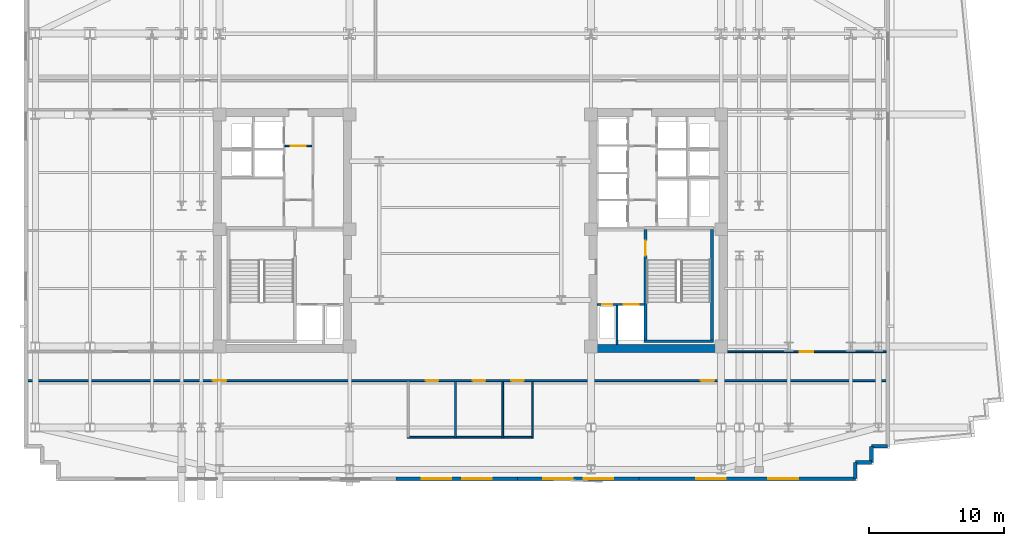
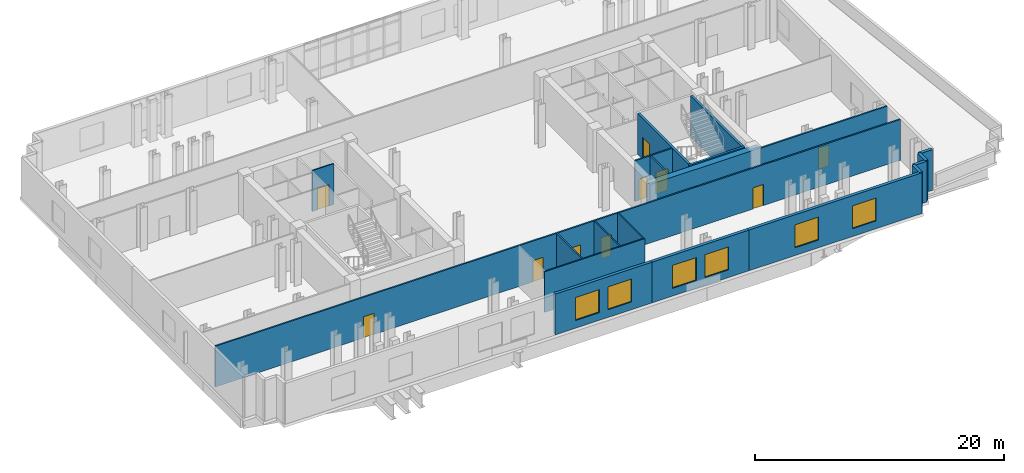
# One storey, part 7 of 14: 20 walls, 10 doors, 6 windows, 16 openings.
"""IFC4 building model written with IfcOpenShell, lengths in metres."""

from ifc_helpers import new_model, si_unit, direction, frame, frame_2d, origin, place, context, subcontext, project, spatial, rectangle, extrude, material, layer, layer_set, type_object, element, fill, save


model = new_model("IFC4")

# Units and contexts
model_context = context("Model", 3, precision=1e-05, world=origin(), true_north=direction((0.0, 1.0)))
body_context = subcontext(model_context, "Body", "Model", "MODEL_VIEW")
ifc_project = project(units=[si_unit("LENGTHUNIT", "METRE"), si_unit("AREAUNIT", "SQUARE_METRE"), si_unit("VOLUMEUNIT", "CUBIC_METRE"), si_unit("PLANEANGLEUNIT", "RADIAN"), si_unit("MASSUNIT", "GRAM", prefix="KILO")], contexts=[model_context])

# Site, building, storey
site_placement = place(None, origin())
site = spatial("IfcSite", under=ifc_project, at=site_placement, CompositionType="ELEMENT")
building_placement = place(site_placement, origin())
building = spatial("IfcBuilding", under=site, at=building_placement, Name="Velakula Bourse", CompositionType="ELEMENT")
storey_placement = place(building_placement, frame((0.0, 0.0, 116.64990234375)))
storey = spatial("IfcBuildingStorey", under=building, at=storey_placement, Name="L31", CompositionType="ELEMENT", Elevation=116.64990234375)

# Wall, opening, door
ifc_material_1 = material(Name="Concrete M50 (fck 50 MPa)", Category="concrete")
ifc_layer_1 = layer(ifc_material_1, 0.2099609375, Name="Concrete M50 (fck 50 MPa)", Category="concrete")
ifc_layer_set_1 = layer_set([ifc_layer_1], Name="Concrete M50 (fck 50 MPa)")
wall_type_1 = type_object("IfcWallType", Name="WL-CORE-210", PredefinedType="SHEAR", material=ifc_layer_set_1)
wall_1_placement = place(storey_placement, frame((12.9951171875, -8.10009765625, 0.0), z_axis=(0.0, 0.0, 1.0), x_axis=(0.0, 1.0, 0.0)))
wall_1 = element("IfcWall", 1, at=wall_1_placement, inside=storey, type_object=wall_type_1, Name="L31 Core E Stairwell Shear Wall IN", PredefinedType="SHEAR", context=body_context, shape_type="SweptSolid", body=[
    extrude(rectangle(XDim=8.2001953125, YDim=0.2099609375, at=frame_2d((4.10009765625, 0.0))), origin(), (0.0, 0.0, 1.0), 4.02001953125),
])
opening_1_placement = place(wall_1_placement, frame((6.25, 0.0, 0.0)))
opening_1 = element("IfcOpeningElement", 2, at=opening_1_placement, cuts=wall_1, Name="Opening D-STE1", PredefinedType="OPENING", context=body_context, shape_type="SweptSolid", body=[
    extrude(rectangle(XDim=1.10009765625, YDim=2.14990234375, at=frame_2d((0.550048828125, 1.074951171875))), frame((0.0, 0.114990234375, 0.0), z_axis=(0.0, -1.0, 0.0), x_axis=(1.0, 0.0, 0.0)), (0.0, 0.0, 1.0), 0.22998046875),
])
ifc_material_2 = material(Name="Galvanised painted hollow steel fire door", Category="steel")
door_type_1 = type_object("IfcDoorType", Name="DR-FD120-1100x2150", OperationType="NOTDEFINED", PredefinedType="DOOR", material=ifc_material_2)
door_1_placement = place(opening_1_placement, origin())
door_1 = element("IfcDoor", 3, at=door_1_placement, inside=storey, type_object=door_type_1, Name="L31 Stair ST-E1 Fire Door", OperationType="SINGLE_SWING_RIGHT", OverallHeight=2.14990234375, OverallWidth=1.10009765625, PredefinedType="DOOR", context=body_context, shape_type="SweptSolid", body=[
    extrude(rectangle(XDim=1.10009765625, YDim=2.14990234375, at=frame_2d((0.550048828125, 1.074951171875))), frame((0.0, 0.02490234375, 0.0), z_axis=(0.0, -1.0, 0.0), x_axis=(1.0, 0.0, 0.0)), (0.0, 0.0, 1.0), 0.050048828125),
])
fill(opening_1, door_1)

# Walls
wall_2_placement = place(storey_placement, frame((17.925048828125, -8.10009765625, 0.0), z_axis=(0.0, 0.0, 1.0), x_axis=(0.0, 1.0, 0.0)))
element("IfcWall", 4, at=wall_2_placement, inside=storey, type_object=wall_type_1, Name="L31 Core E Stairwell Shear Wall OUT", PredefinedType="SHEAR", context=body_context, shape_type="SweptSolid", body=[
    extrude(rectangle(XDim=8.2001953125, YDim=0.2099609375, at=frame_2d((4.10009765625, 0.0))), origin(), (0.0, 0.0, 1.0), 4.02001953125),
])
wall_3_placement = place(storey_placement, frame((12.889892578125, -8.205078125, 0.0), z_axis=(0.0, 0.0, 1.0), x_axis=(1.0, 0.0, 0.0)))
element("IfcWall", 5, at=wall_3_placement, inside=storey, type_object=wall_type_1, Name="L31 Core E Stairwell Shear Wall S", PredefinedType="SHEAR", context=body_context, shape_type="SweptSolid", body=[
    extrude(rectangle(XDim=5.14013671875, YDim=0.2099609375, at=frame_2d((2.570068359375, 0.0))), origin(), (0.0, 0.0, 1.0), 4.02001953125),
])
ifc_material_3 = material(Name="Concrete M70 (fck 70 MPa)", Category="concrete")
ifc_layer_2 = layer(ifc_material_3, 0.60009765625, Name="Concrete M70 (fck 70 MPa)", Category="concrete")
ifc_layer_set_2 = layer_set([ifc_layer_2], Name="Concrete M70 (fck 70 MPa)")
wall_type_2 = type_object("IfcWallType", Name="WL-CORE-600", PredefinedType="SHEAR", material=ifc_layer_set_2)
wall_4_placement = place(storey_placement, frame((8.800048828125, -8.75, 0.0), z_axis=(0.0, 0.0, 1.0), x_axis=(1.0, 0.0, 0.0)))
element("IfcWall", 6, at=wall_4_placement, inside=storey, type_object=wall_type_2, Name="L31 Core E Shear Wall S", PredefinedType="SHEAR", context=body_context, shape_type="SweptSolid", body=[
    extrude(rectangle(XDim=10.25, YDim=0.60009765625, at=frame_2d((5.125, 0.0))), origin(), (0.0, 0.0, 1.0), 4.02001953125),
])

# Wall, openings, windows
ifc_material_4 = material(Name="Red kilned clay facing brick masonry", Category="masonry")
ifc_layer_3 = layer(ifc_material_4, 0.280029296875, Name="Red kilned clay facing brick masonry", Category="masonry")
ifc_layer_set_3 = layer_set([ifc_layer_3], Name="Red kilned clay facing brick masonry")
wall_type_3 = type_object("IfcWallType", Name="WL-EXT-BRK-280", PredefinedType="STANDARD", material=ifc_layer_set_3)
wall_5_placement = place(storey_placement, frame((3.5, -18.389892578125, 0.0), z_axis=(0.0, 0.0, 1.0), x_axis=(-1.0, 0.0, 0.0)))
wall_5 = element("IfcWall", 7, at=wall_5_placement, inside=storey, type_object=wall_type_3, Name="L31 S Brick Spandrel Wall B3", PredefinedType="STANDARD", context=body_context, shape_type="SweptSolid", body=[
    extrude(rectangle(XDim=9.0, YDim=0.280029296875, at=frame_2d((4.5, 0.0))), origin(), (0.0, 0.0, 1.0), 4.0),
])
opening_2_placement = place(wall_5_placement, frame((1.89990234375, 0.0, 0.760009765625)))
opening_2 = element("IfcOpeningElement", 8, at=opening_2_placement, cuts=wall_5, Name="Opening W-08", PredefinedType="OPENING", context=body_context, shape_type="SweptSolid", body=[
    extrude(rectangle(XDim=2.199951171875, YDim=2.25, at=frame_2d((1.10009765625, 1.125))), frame((0.0, 0.14990234375, 0.0), z_axis=(0.0, -1.0, 0.0), x_axis=(1.0, 0.0, 0.0)), (0.0, 0.0, 1.0), 0.300048828125),
])
opening_3_placement = place(wall_5_placement, frame((4.89990234375, 0.0, 0.760009765625)))
opening_3 = element("IfcOpeningElement", 9, at=opening_3_placement, cuts=wall_5, Name="Opening W-08", PredefinedType="OPENING", context=body_context, shape_type="SweptSolid", body=[
    extrude(rectangle(XDim=2.199951171875, YDim=2.25, at=frame_2d((1.10009765625, 1.125))), frame((0.0, 0.14990234375, 0.0), z_axis=(0.0, -1.0, 0.0), x_axis=(1.0, 0.0, 0.0)), (0.0, 0.0, 1.0), 0.300048828125),
])
ifc_material_5 = material(Name="Double-glazed solar-control Low-E glass", Category="glass")
window_type = type_object("IfcWindowType", Name="WIN-SL-2200x2500", PartitioningType="DOUBLE_PANEL_VERTICAL", PredefinedType="WINDOW", material=ifc_material_5)
window_1_placement = place(opening_2_placement, origin())
window_1 = element("IfcWindow", 10, at=window_1_placement, inside=storey, type_object=window_type, Name="L31 Deep-Set Recessed Window 1", OverallHeight=2.25, OverallWidth=2.199951171875, PartitioningType="DOUBLE_PANEL_VERTICAL", PredefinedType="WINDOW", context=body_context, shape_type="SweptSolid", body=[
    extrude(rectangle(XDim=2.199951171875, YDim=2.25, at=frame_2d((1.10009765625, 1.125))), frame((0.0, 0.030029296875, 0.0), z_axis=(0.0, -1.0, 0.0), x_axis=(1.0, 0.0, 0.0)), (0.0, 0.0, 1.0), 0.06005859375),
])
fill(opening_2, window_1)
window_2_placement = place(opening_3_placement, origin())
window_2 = element("IfcWindow", 11, at=window_2_placement, inside=storey, type_object=window_type, Name="L31 Deep-Set Recessed Window 2", OverallHeight=2.25, OverallWidth=2.199951171875, PartitioningType="DOUBLE_PANEL_VERTICAL", PredefinedType="WINDOW", context=body_context, shape_type="SweptSolid", body=[
    extrude(rectangle(XDim=2.199951171875, YDim=2.25, at=frame_2d((1.10009765625, 1.125))), frame((0.0, 0.030029296875, 0.0), z_axis=(0.0, -1.0, 0.0), x_axis=(1.0, 0.0, 0.0)), (0.0, 0.0, 1.0), 0.06005859375),
])
fill(opening_3, window_2)

wall_6_placement = place(storey_placement, frame((12.5, -18.389892578125, 0.0), z_axis=(0.0, 0.0, 1.0), x_axis=(-1.0, 0.0, 0.0)))
wall_6 = element("IfcWall", 12, at=wall_6_placement, inside=storey, type_object=wall_type_3, Name="L31 S Brick Spandrel Wall B4", PredefinedType="STANDARD", context=body_context, shape_type="SweptSolid", body=[
    extrude(rectangle(XDim=9.0, YDim=0.280029296875, at=frame_2d((4.5, 0.0))), origin(), (0.0, 0.0, 1.0), 4.0),
])
opening_4_placement = place(wall_6_placement, frame((1.89990234375, 0.0, 0.760009765625)))
opening_4 = element("IfcOpeningElement", 13, at=opening_4_placement, cuts=wall_6, Name="Opening W-08", PredefinedType="OPENING", context=body_context, shape_type="SweptSolid", body=[
    extrude(rectangle(XDim=2.199951171875, YDim=2.25, at=frame_2d((1.10009765625, 1.125))), frame((0.0, 0.14990234375, 0.0), z_axis=(0.0, -1.0, 0.0), x_axis=(1.0, 0.0, 0.0)), (0.0, 0.0, 1.0), 0.300048828125),
])
opening_5_placement = place(wall_6_placement, frame((4.89990234375, 0.0, 0.760009765625)))
opening_5 = element("IfcOpeningElement", 14, at=opening_5_placement, cuts=wall_6, Name="Opening W-08", PredefinedType="OPENING", context=body_context, shape_type="SweptSolid", body=[
    extrude(rectangle(XDim=2.199951171875, YDim=2.25, at=frame_2d((1.10009765625, 1.125))), frame((0.0, 0.14990234375, 0.0), z_axis=(0.0, -1.0, 0.0), x_axis=(1.0, 0.0, 0.0)), (0.0, 0.0, 1.0), 0.300048828125),
])
window_3_placement = place(opening_4_placement, origin())
window_3 = element("IfcWindow", 15, at=window_3_placement, inside=storey, type_object=window_type, Name="L31 Deep-Set Recessed Window 1", OverallHeight=2.25, OverallWidth=2.199951171875, PartitioningType="DOUBLE_PANEL_VERTICAL", PredefinedType="WINDOW", context=body_context, shape_type="SweptSolid", body=[
    extrude(rectangle(XDim=2.199951171875, YDim=2.25, at=frame_2d((1.10009765625, 1.125))), frame((0.0, 0.030029296875, 0.0), z_axis=(0.0, -1.0, 0.0), x_axis=(1.0, 0.0, 0.0)), (0.0, 0.0, 1.0), 0.06005859375),
])
fill(opening_4, window_3)
window_4_placement = place(opening_5_placement, origin())
window_4 = element("IfcWindow", 16, at=window_4_placement, inside=storey, type_object=window_type, Name="L31 Deep-Set Recessed Window 2", OverallHeight=2.25, OverallWidth=2.199951171875, PartitioningType="DOUBLE_PANEL_VERTICAL", PredefinedType="WINDOW", context=body_context, shape_type="SweptSolid", body=[
    extrude(rectangle(XDim=2.199951171875, YDim=2.25, at=frame_2d((1.10009765625, 1.125))), frame((0.0, 0.030029296875, 0.0), z_axis=(0.0, -1.0, 0.0), x_axis=(1.0, 0.0, 0.0)), (0.0, 0.0, 1.0), 0.06005859375),
])
fill(opening_5, window_4)

wall_7_placement = place(storey_placement, frame((28.5400390625, -18.389892578125, 0.0), z_axis=(0.0, 0.0, 1.0), x_axis=(-1.0, 0.0, 0.0)))
wall_7 = element("IfcWall", 17, at=wall_7_placement, inside=storey, type_object=wall_type_3, Name="L31 S Brick Spandrel Wall B5", PredefinedType="STANDARD", context=body_context, shape_type="SweptSolid", body=[
    extrude(rectangle(XDim=16.0400390625, YDim=0.280029296875, at=frame_2d((8.02001953125, 0.0))), origin(), (0.0, 0.0, 1.0), 4.0),
])
opening_6_placement = place(wall_7_placement, frame((4.24658203125, 0.0, 0.760009765625)))
opening_6 = element("IfcOpeningElement", 18, at=opening_6_placement, cuts=wall_7, Name="Opening W-08", PredefinedType="OPENING", context=body_context, shape_type="SweptSolid", body=[
    extrude(rectangle(XDim=2.199951171875, YDim=2.25, at=frame_2d((1.10009765625, 1.125))), frame((0.0, 0.14990234375, 0.0), z_axis=(0.0, -1.0, 0.0), x_axis=(1.0, 0.0, 0.0)), (0.0, 0.0, 1.0), 0.300048828125),
])
opening_7_placement = place(wall_7_placement, frame((9.59326171875, 0.0, 0.760009765625)))
opening_7 = element("IfcOpeningElement", 19, at=opening_7_placement, cuts=wall_7, Name="Opening W-08", PredefinedType="OPENING", context=body_context, shape_type="SweptSolid", body=[
    extrude(rectangle(XDim=2.199951171875, YDim=2.25, at=frame_2d((1.10009765625, 1.125))), frame((0.0, 0.14990234375, 0.0), z_axis=(0.0, -1.0, 0.0), x_axis=(1.0, 0.0, 0.0)), (0.0, 0.0, 1.0), 0.300048828125),
])
window_5_placement = place(opening_6_placement, origin())
window_5 = element("IfcWindow", 20, at=window_5_placement, inside=storey, type_object=window_type, Name="L31 Deep-Set Recessed Window 1", OverallHeight=2.25, OverallWidth=2.199951171875, PartitioningType="DOUBLE_PANEL_VERTICAL", PredefinedType="WINDOW", context=body_context, shape_type="SweptSolid", body=[
    extrude(rectangle(XDim=2.199951171875, YDim=2.25, at=frame_2d((1.10009765625, 1.125))), frame((0.0, 0.030029296875, 0.0), z_axis=(0.0, -1.0, 0.0), x_axis=(1.0, 0.0, 0.0)), (0.0, 0.0, 1.0), 0.06005859375),
])
fill(opening_6, window_5)
window_6_placement = place(opening_7_placement, origin())
window_6 = element("IfcWindow", 21, at=window_6_placement, inside=storey, type_object=window_type, Name="L31 Deep-Set Recessed Window 2", OverallHeight=2.25, OverallWidth=2.199951171875, PartitioningType="DOUBLE_PANEL_VERTICAL", PredefinedType="WINDOW", context=body_context, shape_type="SweptSolid", body=[
    extrude(rectangle(XDim=2.199951171875, YDim=2.25, at=frame_2d((1.10009765625, 1.125))), frame((0.0, 0.030029296875, 0.0), z_axis=(0.0, -1.0, 0.0), x_axis=(1.0, 0.0, 0.0)), (0.0, 0.0, 1.0), 0.06005859375),
])
fill(opening_7, window_6)

# Walls
for number, where, z_axis, x_axis, name in (
    (22, (28.5400390625, -18.389892578125, 0.0), (0.0, 0.0, 1.0), (0.0, 1.0, 0.0), "L31 Serrated Corner Brick Wall SE-1"),
    (23, (28.5400390625, -17.18994140625, 0.0), (0.0, 0.0, 1.0), (1.0, 0.0, 0.0), "L31 Serrated Corner Brick Wall SE-2"),
    (24, (29.739990234375, -17.18994140625, 0.0), (0.0, 0.0, 1.0), (0.0, 1.0, 0.0), "L31 Serrated Corner Brick Wall SE-3"),
    (25, (29.739990234375, -15.989990234375, 0.0), (0.0, 0.0, 1.0), (1.0, 0.0, 0.0), "L31 Serrated Corner Brick Wall SE-4"),
):
    element("IfcWall", number, at=place(storey_placement, frame(where, z_axis=z_axis, x_axis=x_axis)), inside=storey, type_object=wall_type_3, Name=name, PredefinedType="STANDARD", context=body_context, shape_type="SweptSolid", body=[
        extrude(rectangle(XDim=1.199951171875, YDim=0.280029296875, at=frame_2d((0.60009765625, 0.0))), origin(), (0.0, 0.0, 1.0), 4.0),
    ])

# Wall, opening, door
ifc_material_6 = material(Name="Fire-rated double-layer gypsum drywall partition", Category="gypsum")
ifc_layer_4 = layer(ifc_material_6, 0.1201171875, Name="Fire-rated double-layer gypsum drywall partition", Category="gypsum")
ifc_layer_set_4 = layer_set([ifc_layer_4], Name="Fire-rated double-layer gypsum drywall partition")
wall_type_4 = type_object("IfcWallType", Name="WL-PART-120", PredefinedType="STANDARD", material=ifc_layer_set_4)
wall_8_placement = place(storey_placement, frame((-13.75, 6.280029296875, 0.0), z_axis=(0.0, 0.0, 1.0), x_axis=(1.0, 0.0, 0.0)))
wall_8 = element("IfcWall", 26, at=wall_8_placement, inside=storey, type_object=wall_type_4, Name="L31 Interior Partition WL-CRW-L31-LL-K3B", PredefinedType="STANDARD", context=body_context, shape_type="SweptSolid", body=[
    extrude(rectangle(XDim=2.0, YDim=0.1201171875, at=frame_2d((1.0, 0.0))), origin(), (0.0, 0.0, 1.0), 4.0),
])
opening_8_placement = place(wall_8_placement, frame((0.449951171875, 0.0, 0.0)))
opening_8 = element("IfcOpeningElement", 27, at=opening_8_placement, cuts=wall_8, Name="Opening D-LK3", PredefinedType="OPENING", context=body_context, shape_type="SweptSolid", body=[
    extrude(rectangle(XDim=1.10009765625, YDim=2.10009765625, at=frame_2d((0.550048828125, 1.050048828125))), frame((0.0, 0.070068359375, 0.0), z_axis=(0.0, -1.0, 0.0), x_axis=(1.0, 0.0, 0.0)), (0.0, 0.0, 1.0), 0.14013671875),
])
ifc_material_7 = material(Name="Fire-rated hardwood flush architectural door", Category="wood")
door_type_2 = type_object("IfcDoorType", Name="DR-FD60-1100x2100", OperationType="NOTDEFINED", PredefinedType="DOOR", material=ifc_material_7)
door_2_placement = place(opening_8_placement, origin())
door_2 = element("IfcDoor", 28, at=door_2_placement, inside=storey, type_object=door_type_2, Name="L31 Core W Lift Lobby Vestibule Door B", OperationType="SINGLE_SWING_RIGHT", OverallHeight=2.10009765625, OverallWidth=1.10009765625, PredefinedType="DOOR", context=body_context, shape_type="SweptSolid", body=[
    extrude(rectangle(XDim=1.10009765625, YDim=2.10009765625, at=frame_2d((0.550048828125, 1.050048828125))), frame((0.0, 0.02490234375, 0.0), z_axis=(0.0, -1.0, 0.0), x_axis=(1.0, 0.0, 0.0)), (0.0, 0.0, 1.0), 0.050048828125),
])
fill(opening_8, door_2)

# Walls
wall_9_placement = place(storey_placement, frame((-4.659912109375, -15.320068359375, 0.0), z_axis=(0.0, 0.0, 1.0), x_axis=(1.0, 0.0, 0.0)))
element("IfcWall", 29, at=wall_9_placement, inside=storey, type_object=wall_type_4, Name="L31 Interior Partition WL-WC-L31-BACK", PredefinedType="STANDARD", context=body_context, shape_type="SweptSolid", body=[
    extrude(rectangle(XDim=9.31982421875, YDim=0.1201171875, at=frame_2d((4.659912109375, 0.0))), origin(), (0.0, 0.0, 1.0), 4.0),
])
for number, where, z_axis, x_axis, name in (
    (30, (-1.10009765625, -15.320068359375, 0.0), (0.0, 0.0, 1.0), (0.0, 1.0, 0.0), "L31 Interior Partition WL-WC-L31-V2"),
    (31, (2.39990234375, -15.320068359375, 0.0), (0.0, 0.0, 1.0), (0.0, 1.0, 0.0), "L31 Interior Partition WL-WC-L31-V3"),
    (32, (4.60009765625, -15.320068359375, 0.0), (0.0, 0.0, 1.0), (0.0, 1.0, 0.0), "L31 Interior Partition WL-WC-L31-V4"),
):
    element("IfcWall", number, at=place(storey_placement, frame(where, z_axis=z_axis, x_axis=x_axis)), inside=storey, type_object=wall_type_4, Name=name, PredefinedType="STANDARD", context=body_context, shape_type="SweptSolid", body=[
        extrude(rectangle(XDim=4.130126953125, YDim=0.1201171875, at=frame_2d((2.06494140625, 0.0))), origin(), (0.0, 0.0, 1.0), 4.0),
    ])

# Wall, openings, doors
ifc_layer_5 = layer(ifc_material_6, 0.139892578125, Name="Fire-rated double-layer gypsum drywall partition", Category="gypsum")
ifc_layer_set_5 = layer_set([ifc_layer_5], Name="Fire-rated double-layer gypsum drywall partition")
wall_type_5 = type_object("IfcWallType", Name="WL-PART-140", PredefinedType="STANDARD", material=ifc_layer_set_5)
wall_10_placement = place(storey_placement, frame((-32.820068359375, -11.1201171875, 0.0), z_axis=(0.0, 0.0, 1.0), x_axis=(1.0, 0.0, 0.0)))
wall_10 = element("IfcWall", 33, at=wall_10_placement, inside=storey, type_object=wall_type_5, Name="L31 Interior Partition WL-INT-L31-S-CORR", PredefinedType="STANDARD", context=body_context, shape_type="SweptSolid", body=[
    extrude(rectangle(XDim=63.64013671875, YDim=0.139892578125, at=frame_2d((31.820068359375, 0.0))), origin(), (0.0, 0.0, 1.0), 4.0),
])
opening_9_placement = place(wall_10_placement, frame((29.510009765625, 0.0, 0.0)))
opening_9 = element("IfcOpeningElement", 34, at=opening_9_placement, cuts=wall_10, Name="Opening D-WT1", PredefinedType="OPENING", context=body_context, shape_type="SweptSolid", body=[
    extrude(rectangle(XDim=0.919921875, YDim=2.080078125, at=frame_2d((0.4599609375, 1.0400390625))), frame((0.0, 0.079833984375, 0.0), z_axis=(0.0, -1.0, 0.0), x_axis=(1.0, 0.0, 0.0)), (0.0, 0.0, 1.0), 0.159912109375),
])
opening_10_placement = place(wall_10_placement, frame((33.010009765625, 0.0, 0.0)))
opening_10 = element("IfcOpeningElement", 35, at=opening_10_placement, cuts=wall_10, Name="Opening D-WT1", PredefinedType="OPENING", context=body_context, shape_type="SweptSolid", body=[
    extrude(rectangle(XDim=0.919921875, YDim=2.080078125, at=frame_2d((0.4599609375, 1.0400390625))), frame((0.0, 0.079833984375, 0.0), z_axis=(0.0, -1.0, 0.0), x_axis=(1.0, 0.0, 0.0)), (0.0, 0.0, 1.0), 0.159912109375),
])
opening_11_placement = place(wall_10_placement, frame((35.860107421875, 0.0, 0.0)))
opening_11 = element("IfcOpeningElement", 36, at=opening_11_placement, cuts=wall_10, Name="Opening D-WC1", PredefinedType="OPENING", context=body_context, shape_type="SweptSolid", body=[
    extrude(rectangle(XDim=0.919921875, YDim=2.080078125, at=frame_2d((0.4599609375, 1.0400390625))), frame((0.0, 0.079833984375, 0.0), z_axis=(0.0, -1.0, 0.0), x_axis=(1.0, 0.0, 0.0)), (0.0, 0.0, 1.0), 0.159912109375),
])
opening_12_placement = place(wall_10_placement, frame((13.736083984375, 0.0, 0.0)))
opening_12 = element("IfcOpeningElement", 37, at=opening_12_placement, cuts=wall_10, Name="Opening D-OF1", PredefinedType="OPENING", context=body_context, shape_type="SweptSolid", body=[
    extrude(rectangle(XDim=1.0, YDim=2.080078125, at=frame_2d((0.5, 1.0400390625))), frame((0.0, 0.079833984375, 0.0), z_axis=(0.0, -1.0, 0.0), x_axis=(1.0, 0.0, 0.0)), (0.0, 0.0, 1.0), 0.159912109375),
])
opening_13_placement = place(wall_10_placement, frame((49.904052734375, 0.0, 0.0)))
opening_13 = element("IfcOpeningElement", 38, at=opening_13_placement, cuts=wall_10, Name="Opening D-OF1", PredefinedType="OPENING", context=body_context, shape_type="SweptSolid", body=[
    extrude(rectangle(XDim=1.0, YDim=2.080078125, at=frame_2d((0.5, 1.0400390625))), frame((0.0, 0.079833984375, 0.0), z_axis=(0.0, -1.0, 0.0), x_axis=(1.0, 0.0, 0.0)), (0.0, 0.0, 1.0), 0.159912109375),
])
door_type_3 = type_object("IfcDoorType", Name="DR-OFF-1000", OperationType="NOTDEFINED", PredefinedType="DOOR", material=ifc_material_7)
door_3_placement = place(opening_12_placement, origin())
door_3 = element("IfcDoor", 39, at=door_3_placement, inside=storey, type_object=door_type_3, Name="L31 Traders Bistro Restaurant Door", OperationType="SINGLE_SWING_RIGHT", OverallHeight=2.080078125, OverallWidth=1.0, PredefinedType="DOOR", context=body_context, shape_type="SweptSolid", body=[
    extrude(rectangle(XDim=1.0, YDim=2.080078125, at=frame_2d((0.5, 1.0400390625))), frame((0.0, 0.02490234375, 0.0), z_axis=(0.0, -1.0, 0.0), x_axis=(1.0, 0.0, 0.0)), (0.0, 0.0, 1.0), 0.050048828125),
])
fill(opening_12, door_3)
door_4_placement = place(opening_13_placement, origin())
door_4 = element("IfcDoor", 40, at=door_4_placement, inside=storey, type_object=door_type_3, Name="L31 Primary Dealer Office Door", OperationType="SINGLE_SWING_LEFT", OverallHeight=2.080078125, OverallWidth=1.0, PredefinedType="DOOR", context=body_context, shape_type="SweptSolid", body=[
    extrude(rectangle(XDim=1.0, YDim=2.080078125, at=frame_2d((0.5, 1.0400390625))), frame((0.0, 0.02490234375, 0.0), z_axis=(0.0, -1.0, 0.0), x_axis=(1.0, 0.0, 0.0)), (0.0, 0.0, 1.0), 0.050048828125),
])
fill(opening_13, door_4)
door_type_4 = type_object("IfcDoorType", Name="DR-WC-950", OperationType="NOTDEFINED", PredefinedType="DOOR", material=ifc_material_7)
door_5_placement = place(opening_9_placement, origin())
door_5 = element("IfcDoor", 41, at=door_5_placement, inside=storey, type_object=door_type_4, Name="L31 Male Staff Toilet Door", OperationType="SINGLE_SWING_LEFT", OverallHeight=2.080078125, OverallWidth=0.919921875, PredefinedType="DOOR", context=body_context, shape_type="SweptSolid", body=[
    extrude(rectangle(XDim=0.919921875, YDim=2.080078125, at=frame_2d((0.4599609375, 1.0400390625))), frame((0.0, 0.02490234375, 0.0), z_axis=(0.0, -1.0, 0.0), x_axis=(1.0, 0.0, 0.0)), (0.0, 0.0, 1.0), 0.050048828125),
])
fill(opening_9, door_5)
door_6_placement = place(opening_10_placement, origin())
door_6 = element("IfcDoor", 42, at=door_6_placement, inside=storey, type_object=door_type_4, Name="L31 Female Staff Toilet Door", OperationType="SINGLE_SWING_RIGHT", OverallHeight=2.080078125, OverallWidth=0.919921875, PredefinedType="DOOR", context=body_context, shape_type="SweptSolid", body=[
    extrude(rectangle(XDim=0.919921875, YDim=2.080078125, at=frame_2d((0.4599609375, 1.0400390625))), frame((0.0, 0.02490234375, 0.0), z_axis=(0.0, -1.0, 0.0), x_axis=(1.0, 0.0, 0.0)), (0.0, 0.0, 1.0), 0.050048828125),
])
fill(opening_10, door_6)
door_7_placement = place(opening_11_placement, origin())
door_7 = element("IfcDoor", 43, at=door_7_placement, inside=storey, type_object=door_type_4, Name="L31 Accessible WC Door", OperationType="SINGLE_SWING_LEFT", OverallHeight=2.080078125, OverallWidth=0.919921875, PredefinedType="DOOR", context=body_context, shape_type="SweptSolid", body=[
    extrude(rectangle(XDim=0.919921875, YDim=2.080078125, at=frame_2d((0.4599609375, 1.0400390625))), frame((0.0, 0.02490234375, 0.0), z_axis=(0.0, -1.0, 0.0), x_axis=(1.0, 0.0, 0.0)), (0.0, 0.0, 1.0), 0.050048828125),
])
fill(opening_11, door_7)

# Wall, opening, door
wall_11_placement = place(storey_placement, frame((19.050048828125, -8.97998046875, 0.0), z_axis=(0.0, 0.0, 1.0), x_axis=(1.0, 0.0, 0.0)))
wall_11 = element("IfcWall", 44, at=wall_11_placement, inside=storey, type_object=wall_type_5, Name="L31 Interior Partition WL-INT-L31-E-SC", PredefinedType="STANDARD", context=body_context, shape_type="SweptSolid", body=[
    extrude(rectangle(XDim=11.77001953125, YDim=0.139892578125, at=frame_2d((5.885009765625, 0.0))), origin(), (0.0, 0.0, 1.0), 4.0),
])
opening_14_placement = place(wall_11_placement, frame((5.385009765625, 0.0, 0.0)))
opening_14 = element("IfcOpeningElement", 45, at=opening_14_placement, cuts=wall_11, Name="Opening D-OF1", PredefinedType="OPENING", context=body_context, shape_type="SweptSolid", body=[
    extrude(rectangle(XDim=1.0, YDim=2.080078125, at=frame_2d((0.5, 1.0400390625))), frame((0.0, 0.079833984375, 0.0), z_axis=(0.0, -1.0, 0.0), x_axis=(1.0, 0.0, 0.0)), (0.0, 0.0, 1.0), 0.159912109375),
])
door_8_placement = place(opening_14_placement, origin())
door_8 = element("IfcDoor", 46, at=door_8_placement, inside=storey, type_object=door_type_3, Name="L31 Cash Equities Dealing Workspace Door", OperationType="SINGLE_SWING_LEFT", OverallHeight=2.080078125, OverallWidth=1.0, PredefinedType="DOOR", context=body_context, shape_type="SweptSolid", body=[
    extrude(rectangle(XDim=1.0, YDim=2.080078125, at=frame_2d((0.5, 1.0400390625))), frame((0.0, 0.02490234375, 0.0), z_axis=(0.0, -1.0, 0.0), x_axis=(1.0, 0.0, 0.0)), (0.0, 0.0, 1.0), 0.050048828125),
])
fill(opening_14, door_8)

# Wall, openings, doors
ifc_material_8 = material(Name="Autoclaved aerated concrete blockwork masonry", Category="masonry")
ifc_layer_6 = layer(ifc_material_8, 0.14990234375, Name="Autoclaved aerated concrete blockwork masonry", Category="masonry")
ifc_layer_set_6 = layer_set([ifc_layer_6], Name="Autoclaved aerated concrete blockwork masonry")
wall_type_6 = type_object("IfcWallType", Name="WL-SHAFT-150", PredefinedType="STANDARD", material=ifc_layer_set_6)
wall_12_placement = place(storey_placement, frame((9.39990234375, -5.47509765625, 0.0), z_axis=(0.0, 0.0, 1.0), x_axis=(1.0, 0.0, 0.0)))
wall_12 = element("IfcWall", 47, at=wall_12_placement, inside=storey, type_object=wall_type_6, Name="L31 Interior Partition WL-CRE-L31-FFL-N", PredefinedType="STANDARD", context=body_context, shape_type="SweptSolid", body=[
    extrude(rectangle(XDim=3.4951171875, YDim=0.14990234375, at=frame_2d((1.74755859375, 0.0))), origin(), (0.0, 0.0, 1.0), 4.0),
])
opening_15_placement = place(wall_12_placement, frame((1.97509765625, 0.0, 0.0)))
opening_15 = element("IfcOpeningElement", 48, at=opening_15_placement, cuts=wall_12, Name="Opening LD-FFL-2", PredefinedType="OPENING", context=body_context, shape_type="SweptSolid", body=[
    extrude(rectangle(XDim=1.10009765625, YDim=2.14990234375, at=frame_2d((0.550048828125, 1.074951171875))), frame((0.0, 0.0849609375, 0.0), z_axis=(0.0, -1.0, 0.0), x_axis=(1.0, 0.0, 0.0)), (0.0, 0.0, 1.0), 0.169921875),
])
opening_16_placement = place(wall_12_placement, frame((0.375, 0.0, 0.0)))
opening_16 = element("IfcOpeningElement", 49, at=opening_16_placement, cuts=wall_12, Name="Opening D-RS1", PredefinedType="OPENING", context=body_context, shape_type="SweptSolid", body=[
    extrude(rectangle(XDim=0.75, YDim=2.050048828125, at=frame_2d((0.375, 1.02490234375))), frame((0.0, 0.0849609375, 0.0), z_axis=(0.0, -1.0, 0.0), x_axis=(1.0, 0.0, 0.0)), (0.0, 0.0, 1.0), 0.169921875),
])
door_type_5 = type_object("IfcDoorType", Name="DR-RISER-800", OperationType="NOTDEFINED", PredefinedType="DOOR", material=ifc_material_2)
door_9_placement = place(opening_16_placement, origin())
door_9 = element("IfcDoor", 50, at=door_9_placement, inside=storey, type_object=door_type_5, Name="L31 Fire Riser Access Door", OperationType="SINGLE_SWING_LEFT", OverallHeight=2.050048828125, OverallWidth=0.75, PredefinedType="DOOR", context=body_context, shape_type="SweptSolid", body=[
    extrude(rectangle(XDim=0.75, YDim=2.050048828125, at=frame_2d((0.375, 1.02490234375))), frame((0.0, 0.02490234375, 0.0), z_axis=(0.0, -1.0, 0.0), x_axis=(1.0, 0.0, 0.0)), (0.0, 0.0, 1.0), 0.050048828125),
])
fill(opening_16, door_9)
ifc_material_9 = material(Name="Brushed grade 316 stainless steel", Category="steel")
door_type_6 = type_object("IfcDoorType", Name="DR-SLIDE-FFL-1100", OperationType="DOUBLE_DOOR_SLIDING", PredefinedType="DOOR", material=ifc_material_9)
door_10_placement = place(opening_15_placement, origin())
door_10 = element("IfcDoor", 51, at=door_10_placement, inside=storey, type_object=door_type_6, Name="L31 Firefighting Lift FFL-2 Sliding Landing Door", OperationType="DOUBLE_DOOR_SLIDING", OverallHeight=2.14990234375, OverallWidth=1.10009765625, PredefinedType="DOOR", context=body_context, shape_type="SweptSolid", body=[
    extrude(rectangle(XDim=1.10009765625, YDim=2.14990234375, at=frame_2d((0.550048828125, 1.074951171875))), frame((0.0, 0.02490234375, 0.0), z_axis=(0.0, -1.0, 0.0), x_axis=(1.0, 0.0, 0.0)), (0.0, 0.0, 1.0), 0.050048828125),
])
fill(opening_15, door_10)

# Wall
wall_13_placement = place(storey_placement, frame((10.875, -8.449951171875, 0.0), z_axis=(0.0, 0.0, 1.0), x_axis=(0.0, 1.0, 0.0)))
element("IfcWall", 52, at=wall_13_placement, inside=storey, type_object=wall_type_6, Name="L31 Interior Partition WL-CRE-L31-FR-DIV", PredefinedType="STANDARD", context=body_context, shape_type="SweptSolid", body=[
    extrude(rectangle(XDim=2.89990234375, YDim=0.14990234375, at=frame_2d((1.449951171875, 0.0))), origin(), (0.0, 0.0, 1.0), 4.0),
])

save(model, "model.ifc")
